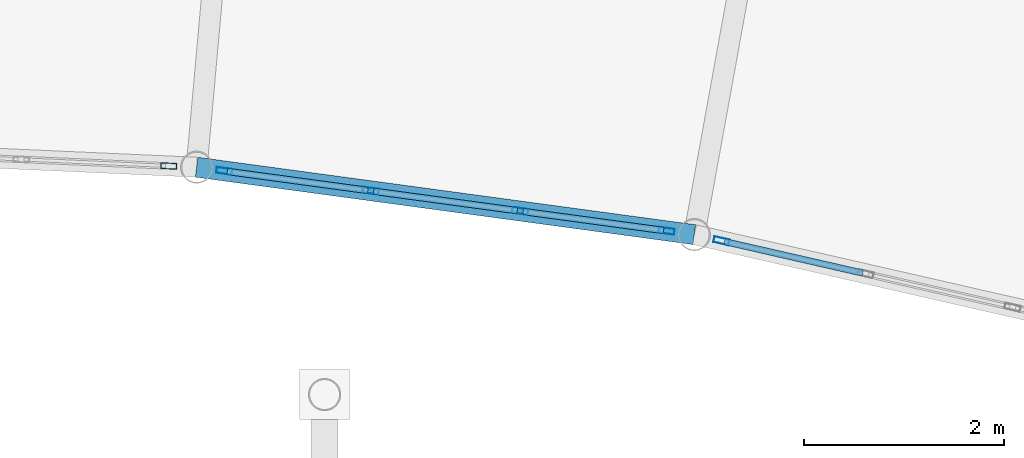
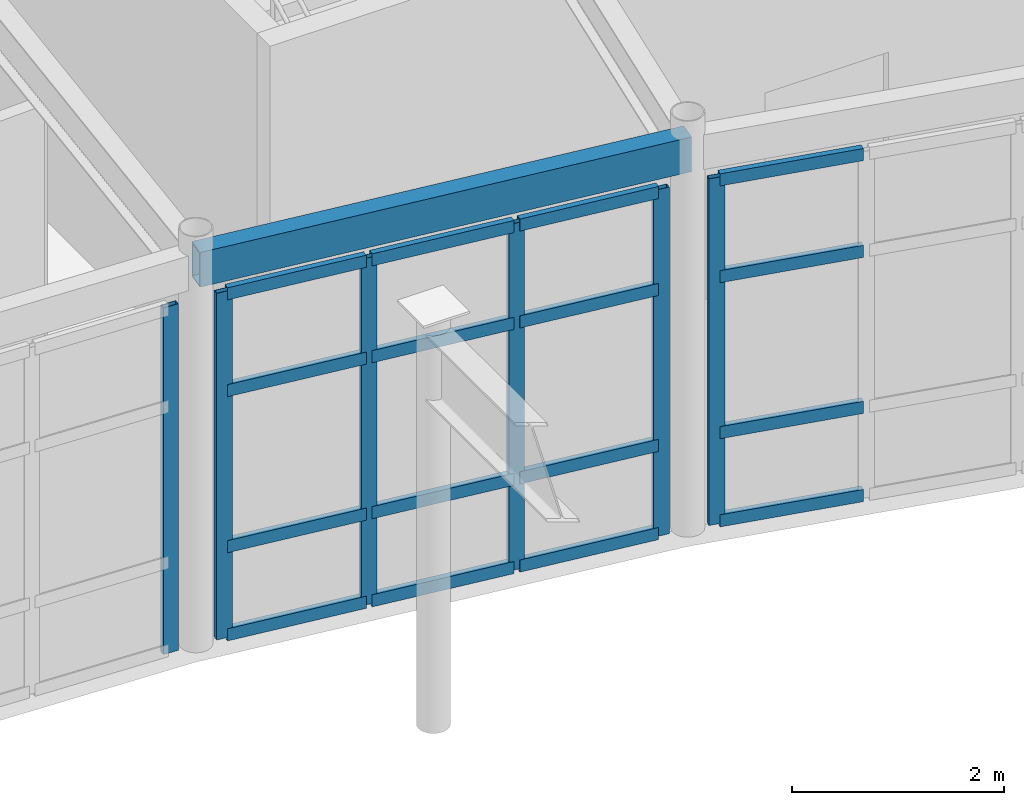
# One storey, part 74 of 116: 22 members, 1 beam, 3 elements without a shape of their own.
"""IFC4 building model written with IfcOpenShell, lengths in metres."""

import ifcopenshell
import ifcopenshell.guid

model = None  # the IFC model being written
_history = None  # IfcOwnerHistory: only IFC2X3 demands one
_inside = {}  # id of a spatial element -> (the spatial element, [elements in it])
_under = {}  # id of a project, library or spatial element -> (it, [spatial elements below it])
_declared = {}  # id of a project -> (the project, [libraries it declares])
_typed = {}  # id of a type object -> (the type object, [elements of that type])
_made_of = {}  # id of a material, layer set ... -> (it, [elements and type objects made of it])


def new_model(schema):
    """Start an empty IFC model of exactly this schema.

    Asked for "IFC4X3", IfcOpenShell would pick the latest addendum, in which some entities
    have other attributes; the version numbers below select the first issue.
    IFC2X3 requires an IfcOwnerHistory on every rooted entity: one is made here for all.
    """
    global model, _history
    if schema == "IFC4X3":
        model = ifcopenshell.file(schema_version=(4, 3, 0, 0))
    else:
        model = ifcopenshell.file(schema=schema)
    _inside.clear()
    _under.clear()
    _declared.clear()
    _typed.clear()
    _made_of.clear()
    _history = None
    if model.schema == "IFC2X3":
        org = make("IfcOrganization", Name="unknown")
        user = make(
            "IfcPersonAndOrganization",
            ThePerson=make("IfcPerson", FamilyName="unknown"),
            TheOrganization=org,
        )
        app = make(
            "IfcApplication",
            ApplicationDeveloper=org,
            Version="unknown",
            ApplicationFullName="unknown",
            ApplicationIdentifier="unknown",
        )
        _history = make(
            "IfcOwnerHistory",
            OwningUser=user,
            OwningApplication=app,
            ChangeAction="ADDED",
            CreationDate=0,
        )
    return model


def make(cls, **values):
    """One entity of the class cls with the attributes given. An attribute that is None is left unset."""
    return model.create_entity(
        cls, **{name: value for name, value in values.items() if value is not None}
    )


def rooted(cls, **values):
    """An entity with a GlobalId (a new one), such as an element, a storey or a relation."""
    return make(cls, GlobalId=ifcopenshell.guid.new(), OwnerHistory=_history, **values)


def si_unit(unit_type, name, prefix=None):
    """IfcSIUnit, for example si_unit("LENGTHUNIT", "METRE", prefix="MILLI")."""
    return make("IfcSIUnit", UnitType=unit_type, Prefix=prefix, Name=name)


def assignment(units):
    """IfcUnitAssignment: the units of a project."""
    return None if units is None else make("IfcUnitAssignment", Units=units)


def point(xyz):
    """IfcCartesianPoint."""
    return None if xyz is None else make("IfcCartesianPoint", Coordinates=xyz)


def direction(xyz):
    """IfcDirection."""
    return None if xyz is None else make("IfcDirection", DirectionRatios=xyz)


def frame(location, z_axis=None, x_axis=None):
    """IfcAxis2Placement3D, a coordinate frame: its origin and axes. An axis left out is left unset."""
    return make(
        "IfcAxis2Placement3D",
        Location=point(location),
        Axis=direction(z_axis),
        RefDirection=direction(x_axis),
    )


def frame_2d(location, x_axis=None):
    """IfcAxis2Placement2D, a coordinate frame in the plane: its origin and x axis."""
    return make(
        "IfcAxis2Placement2D", Location=point(location), RefDirection=direction(x_axis)
    )


def origin():
    """The frame at (0, 0, 0) with its axes left unset."""
    return frame((0.0, 0.0, 0.0))


def origin_2d():
    """The frame at (0, 0) in the plane with its x axis left unset."""
    return frame_2d((0.0, 0.0))


def place(relative_to, where):
    """IfcLocalPlacement: puts the frame where relative to a parent placement (None: the world)."""
    return make(
        "IfcLocalPlacement", PlacementRelTo=relative_to, RelativePlacement=where
    )


def context(
    kind, dimensions, precision=None, world=None, true_north=None, identifier=None
):
    """IfcGeometricRepresentationContext, for example the 3D "Model" context."""
    return make(
        "IfcGeometricRepresentationContext",
        ContextIdentifier=identifier,
        ContextType=kind,
        CoordinateSpaceDimension=dimensions,
        Precision=precision,
        WorldCoordinateSystem=world,
        TrueNorth=true_north,
    )


def subcontext(parent, identifier, kind, view, scale=None):
    """IfcGeometricRepresentationSubContext, for example "Body" below "Model"."""
    return make(
        "IfcGeometricRepresentationSubContext",
        ContextIdentifier=identifier,
        ContextType=kind,
        ParentContext=parent,
        TargetScale=scale,
        TargetView=view,
    )


def project(units=None, contexts=None):
    """IfcProject with its units and contexts."""
    return rooted(
        "IfcProject",
        Name="project",
        RepresentationContexts=contexts,
        UnitsInContext=assignment(units),
    )


def spatial(cls, under=None, at=None, **own):
    """A site, building, storey or space (cls), placed at a placement, below another one or the project."""
    s = rooted(cls, ObjectPlacement=at, **own)
    if under is not None:
        _under.setdefault(under.id(), (under, []))[1].append(s)
    return s


def profile(cls, at=None, kind="AREA", **sizes):
    """A parametric profile (cls). Its sizes go by their IFC names, for example OverallWidth=200.0."""
    return make(cls, ProfileType=kind, Position=at, **sizes)


def hollow_rectangle(**sizes):
    """IfcRectangleHollowProfileDef."""
    return profile("IfcRectangleHollowProfileDef", **sizes)


def extrude(swept, where, along, depth):
    """IfcExtrudedAreaSolid: the profile swept, set in the frame where, extruded along a direction by depth."""
    return make(
        "IfcExtrudedAreaSolid",
        SweptArea=swept,
        Position=where,
        ExtrudedDirection=direction(along),
        Depth=depth,
    )


def shape(context_of_items, identifier, shape_type, items):
    """IfcShapeRepresentation: the items that make up one representation, for example the "Body"."""
    return make(
        "IfcShapeRepresentation",
        ContextOfItems=context_of_items,
        RepresentationIdentifier=identifier,
        RepresentationType=shape_type,
        Items=items,
    )


def material(Name=None, Category=None):
    """IfcMaterial."""
    return make("IfcMaterial", Name=Name, Category=Category)


def layer(
    of_material, thickness, ventilated=None, Name=None, Category=None, Priority=None
):
    """IfcMaterialLayer: one layer of a wall or slab, of a material (None: an air gap)."""
    return make(
        "IfcMaterialLayer",
        Material=of_material,
        LayerThickness=thickness,
        IsVentilated=ventilated,
        Name=Name,
        Category=Category,
        Priority=Priority,
    )


def layer_set(layers, Name=None):
    """IfcMaterialLayerSet."""
    return make("IfcMaterialLayerSet", MaterialLayers=layers, LayerSetName=Name)


def material_profile(
    of_material, cross_section, Name=None, Category=None, Priority=None
):
    """IfcMaterialProfile: a cross section and its material."""
    return make(
        "IfcMaterialProfile",
        Name=Name,
        Material=of_material,
        Profile=cross_section,
        Priority=Priority,
        Category=Category,
    )


def profile_set(profiles, Name=None, composite=None):
    """IfcMaterialProfileSet."""
    return make(
        "IfcMaterialProfileSet",
        Name=Name,
        MaterialProfiles=profiles,
        CompositeProfile=composite,
    )


def made_of(thing, what):
    """Note that an element or type object is made of a material, layer set ...; save() writes the relation."""
    if what is not None:
        _made_of.setdefault(what.id(), (what, []))[1].append(thing)
    return thing


def type_object(cls, material=None, **own):
    """A type object (cls), such as IfcWallType, which elements share."""
    return made_of(rooted(cls, **own), material)


def element(
    cls,
    number,
    at=None,
    inside=None,
    cuts=None,
    type_object=None,
    material=None,
    context=None,
    identifier="Body",
    shape_type=None,
    held_by="IfcProductDefinitionShape",
    body=None,
    shapes=None,
    **own,
):
    """One element of the class cls, such as IfcWall. Its Tag is "e" and its number.

    at: its placement. inside: the storey or other place that contains it. cuts: it is an
    opening in that element (IfcRelVoidsElement). A single representation is given by context,
    identifier, shape_type and body (its items); several are given by shapes. held_by: the class
    of the entity that holds the representations. save() writes the other relations.
    """
    e = rooted(cls, Tag="e%d" % number, ObjectPlacement=at, **own)
    if body is not None:
        shapes = [shape(context, identifier, shape_type, body)]
    if shapes is not None:
        e.Representation = make(held_by, Representations=shapes)
    if inside is not None:
        _inside.setdefault(inside.id(), (inside, []))[1].append(e)
    if cuts is not None:
        rooted(
            "IfcRelVoidsElement", RelatingBuildingElement=cuts, RelatedOpeningElement=e
        )
    if type_object is not None:
        _typed.setdefault(type_object.id(), (type_object, []))[1].append(e)
    return made_of(e, material)


def aggregate(whole, parts):
    """IfcRelAggregates: a whole, such as a stair, and the parts it consists of."""
    return rooted("IfcRelAggregates", RelatingObject=whole, RelatedObjects=parts)


def save(model, path):
    """Write the relations noted so far, then the file.

    IfcRelAggregates (storeys below a building ...), IfcRelContainedInSpatialStructure (elements
    in a storey), IfcRelDefinesByType, IfcRelAssociatesMaterial and IfcRelDeclares: one each for
    every whole, place, type object, material and project.
    """
    for whole, parts in _under.values():
        aggregate(whole, parts)
    for where, things in _inside.values():
        rooted(
            "IfcRelContainedInSpatialStructure",
            RelatedElements=things,
            RelatingStructure=where,
        )
    for kind, things in _typed.values():
        rooted("IfcRelDefinesByType", RelatedObjects=things, RelatingType=kind)
    for what, things in _made_of.values():
        rooted("IfcRelAssociatesMaterial", RelatedObjects=things, RelatingMaterial=what)
    for by, libraries in _declared.values():
        rooted("IfcRelDeclares", RelatingContext=by, RelatedDefinitions=libraries)
    model.write(path)


model = new_model("IFC4")

# Units and contexts
model_context = context("Model", 3, precision=1e-05, world=origin(), true_north=direction((0.0, 1.0)))
body_context = subcontext(model_context, "Body", "Model", "MODEL_VIEW")
ifc_project = project(units=[si_unit("LENGTHUNIT", "METRE"), si_unit("AREAUNIT", "SQUARE_METRE"), si_unit("VOLUMEUNIT", "CUBIC_METRE"), si_unit("PLANEANGLEUNIT", "RADIAN"), si_unit("MASSUNIT", "GRAM", prefix="KILO")], contexts=[model_context])

# Site, building, storey
site_placement = place(None, origin())
site = spatial("IfcSite", under=ifc_project, at=site_placement, CompositionType="ELEMENT")
building_placement = place(site_placement, origin())
building = spatial("IfcBuilding", under=site, at=building_placement, Name="Selat Folded Stagehouse", CompositionType="ELEMENT")
storey_placement = place(building_placement, frame((0.0, 0.0, 5.39990234375)))
storey = spatial("IfcBuildingStorey", under=building, at=storey_placement, Name="L01", CompositionType="ELEMENT", Elevation=5.39990234375)

# Curtain wall, member
ifc_material_1 = material(Name="Aluminium 6063-T6", Category="aluminium")
ifc_layer = layer(ifc_material_1, 0.18994140625)
ifc_layer_set = layer_set([ifc_layer], Name="Aluminium 6063-T6")
curtain_wall_type = type_object("IfcCurtainWallType", Name="CW-REH-ARC", PredefinedType="NOTDEFINED", material=ifc_layer_set)
curtain_wall_1_placement = place(storey_placement, origin())
curtain_wall_1 = element("IfcCurtainWall", 1, at=curtain_wall_1_placement, inside=storey, type_object=curtain_wall_type, Name="L01 curtain wall CW-REH-L01-07", PredefinedType="NOTDEFINED")
ifc_material_profile_1 = material_profile(ifc_material_1, hollow_rectangle(XDim=0.06005859375, YDim=0.159912109375, WallThickness=0.00390625, at=origin_2d()), Name="ALU 160x60x4.0")
ifc_profile_set_1 = profile_set([ifc_material_profile_1], Name="Aluminium 6063-T6")
member_type_1 = type_object("IfcMemberType", Name="CWM-MUL-160x60", PredefinedType="MULLION", material=ifc_profile_set_1)
member_1_placement = place(storey_placement, frame((97.14013671875, 93.787109375, 0.0), z_axis=(0.0, 0.0, 1.0), x_axis=(-0.044862316478, -0.998993179436, 0.0)))
member_1 = element("IfcMember", 2, at=member_1_placement, type_object=member_type_1, Name="CW-06 mullion 1", PredefinedType="MULLION", context=body_context, shape_type="SweptSolid", body=[
    extrude(hollow_rectangle(XDim=0.06005859375, YDim=0.159912109375, WallThickness=0.00390625, at=origin_2d()), origin(), (0.0, 0.0, 1.0), 4.0),
])
aggregate(curtain_wall_1, [member_1])

# Curtain wall, members
curtain_wall_2_placement = place(storey_placement, origin())
curtain_wall_2 = element("IfcCurtainWall", 3, at=curtain_wall_2_placement, inside=storey, type_object=curtain_wall_type, Name="L01 curtain wall CW-REH-L01-08", PredefinedType="NOTDEFINED")
member_2_placement = place(storey_placement, frame((102.121826171875, 93.1376953125, 0.0), z_axis=(0.0, 0.0, 1.0), x_axis=(-0.134211766018, -0.990952673876, 0.0)))
member_2 = element("IfcMember", 4, at=member_2_placement, type_object=member_type_1, Name="CW-06 mullion 1", PredefinedType="MULLION", context=body_context, shape_type="SweptSolid", body=[
    extrude(hollow_rectangle(XDim=0.06005859375, YDim=0.159912109375, WallThickness=0.00390625, at=origin_2d()), origin(), (0.0, 0.0, 1.0), 4.0),
])
member_3_placement = place(storey_placement, frame((100.65673828125, 93.336181640625, 0.0), z_axis=(0.0, 0.0, 1.0), x_axis=(-0.134211766018, -0.990952673876, 0.0)))
member_3 = element("IfcMember", 5, at=member_3_placement, type_object=member_type_1, Name="CW-06 mullion 2", PredefinedType="MULLION", context=body_context, shape_type="SweptSolid", body=[
    extrude(hollow_rectangle(XDim=0.06005859375, YDim=0.159912109375, WallThickness=0.00390625, at=origin_2d()), origin(), (0.0, 0.0, 1.0), 4.0),
])
member_4_placement = place(storey_placement, frame((99.162109375, 93.53857421875, 0.0), z_axis=(0.0, 0.0, 1.0), x_axis=(-0.134211766018, -0.990952673876, 0.0)))
member_4 = element("IfcMember", 6, at=member_4_placement, type_object=member_type_1, Name="CW-06 mullion 3", PredefinedType="MULLION", context=body_context, shape_type="SweptSolid", body=[
    extrude(hollow_rectangle(XDim=0.06005859375, YDim=0.159912109375, WallThickness=0.00390625, at=origin_2d()), origin(), (0.0, 0.0, 1.0), 4.0),
])
member_5_placement = place(storey_placement, frame((97.697265625, 93.737060546875, 0.0), z_axis=(0.0, 0.0, 1.0), x_axis=(-0.134211766018, -0.990952673876, 0.0)))
member_5 = element("IfcMember", 7, at=member_5_placement, type_object=member_type_1, Name="CW-06 mullion 4", PredefinedType="MULLION", context=body_context, shape_type="SweptSolid", body=[
    extrude(hollow_rectangle(XDim=0.06005859375, YDim=0.159912109375, WallThickness=0.00390625, at=origin_2d()), origin(), (0.0, 0.0, 1.0), 4.0),
])

# Curtain wall, member
curtain_wall_3_placement = place(storey_placement, origin())
curtain_wall_3 = element("IfcCurtainWall", 8, at=curtain_wall_3_placement, inside=storey, type_object=curtain_wall_type, Name="L01 curtain wall CW-REH-L01-09", PredefinedType="NOTDEFINED")
member_6_placement = place(storey_placement, frame((102.672119140625, 93.037841796875, 0.0), z_axis=(0.0, 0.0, 1.0), x_axis=(-0.222542761079, -0.974922930026, 0.0)))
member_6 = element("IfcMember", 9, at=member_6_placement, type_object=member_type_1, Name="CW-06 mullion 4", PredefinedType="MULLION", context=body_context, shape_type="SweptSolid", body=[
    extrude(hollow_rectangle(XDim=0.06005859375, YDim=0.159912109375, WallThickness=0.00390625, at=origin_2d()), origin(), (0.0, 0.0, 1.0), 4.0),
])

# Member
ifc_material_profile_2 = material_profile(ifc_material_1, hollow_rectangle(XDim=0.06494140625, YDim=0.139892578125, WallThickness=0.00390625, at=origin_2d()), Name="ALU 140x65x4.0")
ifc_profile_set_2 = profile_set([ifc_material_profile_2], Name="Aluminium 6063-T6")
member_type_2 = type_object("IfcMemberType", Name="CWM-TRN-140x65", PredefinedType="USERDEFINED", material=ifc_profile_set_2)
member_7_placement = place(storey_placement, frame((102.092041015625, 93.141845703125, 0.03271484375), z_axis=(-0.990968953763, 0.134091508595, 0.0), x_axis=(-0.134091508595, -0.990968953763, 0.0)))
member_7 = element("IfcMember", 10, at=member_7_placement, type_object=member_type_2, Name="CW-06 transom 1.1", ObjectType="TRANSOM", PredefinedType="USERDEFINED", context=body_context, shape_type="SweptSolid", body=[
    extrude(hollow_rectangle(XDim=0.06494140625, YDim=0.139892578125, WallThickness=0.00390625, at=origin_2d()), origin(), (0.0, 0.0, 1.0), 1.418212890625),
])

member_8_placement = place(storey_placement, frame((102.092041015625, 93.141845703125, 1.050048828125), z_axis=(-0.990968953763, 0.134091508595, 0.0), x_axis=(-0.134091508595, -0.990968953763, 0.0)))
member_8 = element("IfcMember", 11, at=member_8_placement, type_object=member_type_2, Name="CW-06 transom 1.2", ObjectType="TRANSOM", PredefinedType="USERDEFINED", context=body_context, shape_type="SweptSolid", body=[
    extrude(hollow_rectangle(XDim=0.06494140625, YDim=0.139892578125, WallThickness=0.00390625, at=origin_2d()), origin(), (0.0, 0.0, 1.0), 1.418212890625),
])

member_9_placement = place(storey_placement, frame((102.092041015625, 93.141845703125, 2.85009765625), z_axis=(-0.990968953763, 0.134091508595, 0.0), x_axis=(-0.134091508595, -0.990968953763, 0.0)))
member_9 = element("IfcMember", 12, at=member_9_placement, type_object=member_type_2, Name="CW-06 transom 1.3", ObjectType="TRANSOM", PredefinedType="USERDEFINED", context=body_context, shape_type="SweptSolid", body=[
    extrude(hollow_rectangle(XDim=0.06494140625, YDim=0.139892578125, WallThickness=0.00390625, at=origin_2d()), origin(), (0.0, 0.0, 1.0), 1.418212890625),
])

member_10_placement = place(storey_placement, frame((102.092041015625, 93.141845703125, 3.967529296875), z_axis=(-0.990968953763, 0.134091508595, 0.0), x_axis=(-0.134091508595, -0.990968953763, 0.0)))
member_10 = element("IfcMember", 13, at=member_10_placement, type_object=member_type_2, Name="CW-06 transom 1.4", ObjectType="TRANSOM", PredefinedType="USERDEFINED", context=body_context, shape_type="SweptSolid", body=[
    extrude(hollow_rectangle(XDim=0.06494140625, YDim=0.139892578125, WallThickness=0.00390625, at=origin_2d()), origin(), (0.0, 0.0, 1.0), 1.418212890625),
])

member_11_placement = place(storey_placement, frame((100.627197265625, 93.340087890625, 0.03271484375), z_axis=(-0.990957936125, 0.134172906473, 0.0), x_axis=(-0.134172906473, -0.990957936125, 0.0)))
member_11 = element("IfcMember", 14, at=member_11_placement, type_object=member_type_2, Name="CW-06 transom 2.1", ObjectType="TRANSOM", PredefinedType="USERDEFINED", context=body_context, shape_type="SweptSolid", body=[
    extrude(hollow_rectangle(XDim=0.06494140625, YDim=0.139892578125, WallThickness=0.00390625, at=origin_2d()), origin(), (0.0, 0.0, 1.0), 1.448486328125),
])

member_12_placement = place(storey_placement, frame((100.627197265625, 93.340087890625, 1.050048828125), z_axis=(-0.990957936125, 0.134172906473, 0.0), x_axis=(-0.134172906473, -0.990957936125, 0.0)))
member_12 = element("IfcMember", 15, at=member_12_placement, type_object=member_type_2, Name="CW-06 transom 2.2", ObjectType="TRANSOM", PredefinedType="USERDEFINED", context=body_context, shape_type="SweptSolid", body=[
    extrude(hollow_rectangle(XDim=0.06494140625, YDim=0.139892578125, WallThickness=0.00390625, at=origin_2d()), origin(), (0.0, 0.0, 1.0), 1.448486328125),
])

member_13_placement = place(storey_placement, frame((100.627197265625, 93.340087890625, 2.85009765625), z_axis=(-0.990957936125, 0.134172906473, 0.0), x_axis=(-0.134172906473, -0.990957936125, 0.0)))
member_13 = element("IfcMember", 16, at=member_13_placement, type_object=member_type_2, Name="CW-06 transom 2.3", ObjectType="TRANSOM", PredefinedType="USERDEFINED", context=body_context, shape_type="SweptSolid", body=[
    extrude(hollow_rectangle(XDim=0.06494140625, YDim=0.139892578125, WallThickness=0.00390625, at=origin_2d()), origin(), (0.0, 0.0, 1.0), 1.448486328125),
])

member_14_placement = place(storey_placement, frame((100.627197265625, 93.340087890625, 3.967529296875), z_axis=(-0.990957936125, 0.134172906473, 0.0), x_axis=(-0.134172906473, -0.990957936125, 0.0)))
member_14 = element("IfcMember", 17, at=member_14_placement, type_object=member_type_2, Name="CW-06 transom 2.4", ObjectType="TRANSOM", PredefinedType="USERDEFINED", context=body_context, shape_type="SweptSolid", body=[
    extrude(hollow_rectangle(XDim=0.06494140625, YDim=0.139892578125, WallThickness=0.00390625, at=origin_2d()), origin(), (0.0, 0.0, 1.0), 1.448486328125),
])

member_15_placement = place(storey_placement, frame((99.13232421875, 93.54248046875, 0.03271484375), z_axis=(-0.990942963198, 0.134283445326, 0.0), x_axis=(-0.134283445326, -0.990942963198, 0.0)))
member_15 = element("IfcMember", 18, at=member_15_placement, type_object=member_type_2, Name="CW-06 transom 3.1", ObjectType="TRANSOM", PredefinedType="USERDEFINED", context=body_context, shape_type="SweptSolid", body=[
    extrude(hollow_rectangle(XDim=0.06494140625, YDim=0.139892578125, WallThickness=0.00390625, at=origin_2d()), origin(), (0.0, 0.0, 1.0), 1.418212890625),
])

member_16_placement = place(storey_placement, frame((99.13232421875, 93.54248046875, 1.050048828125), z_axis=(-0.990942963198, 0.134283445326, 0.0), x_axis=(-0.134283445326, -0.990942963198, 0.0)))
member_16 = element("IfcMember", 19, at=member_16_placement, type_object=member_type_2, Name="CW-06 transom 3.2", ObjectType="TRANSOM", PredefinedType="USERDEFINED", context=body_context, shape_type="SweptSolid", body=[
    extrude(hollow_rectangle(XDim=0.06494140625, YDim=0.139892578125, WallThickness=0.00390625, at=origin_2d()), origin(), (0.0, 0.0, 1.0), 1.418212890625),
])

member_17_placement = place(storey_placement, frame((99.13232421875, 93.54248046875, 2.85009765625), z_axis=(-0.990942963198, 0.134283445326, 0.0), x_axis=(-0.134283445326, -0.990942963198, 0.0)))
member_17 = element("IfcMember", 20, at=member_17_placement, type_object=member_type_2, Name="CW-06 transom 3.3", ObjectType="TRANSOM", PredefinedType="USERDEFINED", context=body_context, shape_type="SweptSolid", body=[
    extrude(hollow_rectangle(XDim=0.06494140625, YDim=0.139892578125, WallThickness=0.00390625, at=origin_2d()), origin(), (0.0, 0.0, 1.0), 1.418212890625),
])

member_18_placement = place(storey_placement, frame((99.13232421875, 93.54248046875, 3.967529296875), z_axis=(-0.990942963198, 0.134283445326, 0.0), x_axis=(-0.134283445326, -0.990942963198, 0.0)))
member_18 = element("IfcMember", 21, at=member_18_placement, type_object=member_type_2, Name="CW-06 transom 3.4", ObjectType="TRANSOM", PredefinedType="USERDEFINED", context=body_context, shape_type="SweptSolid", body=[
    extrude(hollow_rectangle(XDim=0.06494140625, YDim=0.139892578125, WallThickness=0.00390625, at=origin_2d()), origin(), (0.0, 0.0, 1.0), 1.418212890625),
])

aggregate(curtain_wall_2, [member_2, member_3, member_4, member_5, member_7, member_8, member_9, member_10, member_11, member_12, member_13, member_14, member_15, member_16, member_17, member_18])

member_19_placement = place(storey_placement, frame((104.084228515625, 92.715576171875, 0.03271484375), z_axis=(-0.974919361771, 0.222558392438, 0.0), x_axis=(-0.222558392438, -0.974919361771, 0.0)))
member_19 = element("IfcMember", 22, at=member_19_placement, type_object=member_type_2, Name="CW-06 transom 3.1", ObjectType="TRANSOM", PredefinedType="USERDEFINED", context=body_context, shape_type="SweptSolid", body=[
    extrude(hollow_rectangle(XDim=0.06494140625, YDim=0.139892578125, WallThickness=0.00390625, at=origin_2d()), origin(), (0.0, 0.0, 1.0), 1.41845703125),
])

member_20_placement = place(storey_placement, frame((104.084228515625, 92.715576171875, 1.050048828125), z_axis=(-0.974919361771, 0.222558392438, 0.0), x_axis=(-0.222558392438, -0.974919361771, 0.0)))
member_20 = element("IfcMember", 23, at=member_20_placement, type_object=member_type_2, Name="CW-06 transom 3.2", ObjectType="TRANSOM", PredefinedType="USERDEFINED", context=body_context, shape_type="SweptSolid", body=[
    extrude(hollow_rectangle(XDim=0.06494140625, YDim=0.139892578125, WallThickness=0.00390625, at=origin_2d()), origin(), (0.0, 0.0, 1.0), 1.41845703125),
])

member_21_placement = place(storey_placement, frame((104.084228515625, 92.715576171875, 2.85009765625), z_axis=(-0.974919361771, 0.222558392438, 0.0), x_axis=(-0.222558392438, -0.974919361771, 0.0)))
member_21 = element("IfcMember", 24, at=member_21_placement, type_object=member_type_2, Name="CW-06 transom 3.3", ObjectType="TRANSOM", PredefinedType="USERDEFINED", context=body_context, shape_type="SweptSolid", body=[
    extrude(hollow_rectangle(XDim=0.06494140625, YDim=0.139892578125, WallThickness=0.00390625, at=origin_2d()), origin(), (0.0, 0.0, 1.0), 1.41845703125),
])

member_22_placement = place(storey_placement, frame((104.084228515625, 92.715576171875, 3.967529296875), z_axis=(-0.974919361771, 0.222558392438, 0.0), x_axis=(-0.222558392438, -0.974919361771, 0.0)))
member_22 = element("IfcMember", 25, at=member_22_placement, type_object=member_type_2, Name="CW-06 transom 3.4", ObjectType="TRANSOM", PredefinedType="USERDEFINED", context=body_context, shape_type="SweptSolid", body=[
    extrude(hollow_rectangle(XDim=0.06494140625, YDim=0.139892578125, WallThickness=0.00390625, at=origin_2d()), origin(), (0.0, 0.0, 1.0), 1.41845703125),
])

aggregate(curtain_wall_3, [member_6, member_19, member_20, member_21, member_22])

# Beam
ifc_material_2 = material(Name="Steel S355", Category="steel")
ifc_material_profile_3 = material_profile(ifc_material_2, hollow_rectangle(XDim=0.199951171875, YDim=0.39990234375, WallThickness=0.012451171875, at=origin_2d()), Name="RHS 400x200x12.5")
ifc_profile_set_3 = profile_set([ifc_material_profile_3], Name="Steel S355")
beam_type = type_object("IfcBeamType", Name="SPD-EXT-400x200", PredefinedType="SPANDREL", material=ifc_profile_set_3)
beam_placement = place(storey_placement, frame((97.419921875, 93.774658203125, 4.3701171875), z_axis=(0.9909477611, -0.134248034514, 0.0), x_axis=(0.134248034514, 0.9909477611, 0.0)))
element("IfcBeam", 26, at=beam_placement, inside=storey, type_object=beam_type, Name="L01 inner curved rehearsal spandrel 9", PredefinedType="SPANDREL", context=body_context, shape_type="SweptSolid", body=[
    extrude(hollow_rectangle(XDim=0.199951171875, YDim=0.39990234375, WallThickness=0.012451171875, at=origin_2d()), origin(), (0.0, 0.0, 1.0), 5.024658203125),
])

save(model, "model.ifc")
